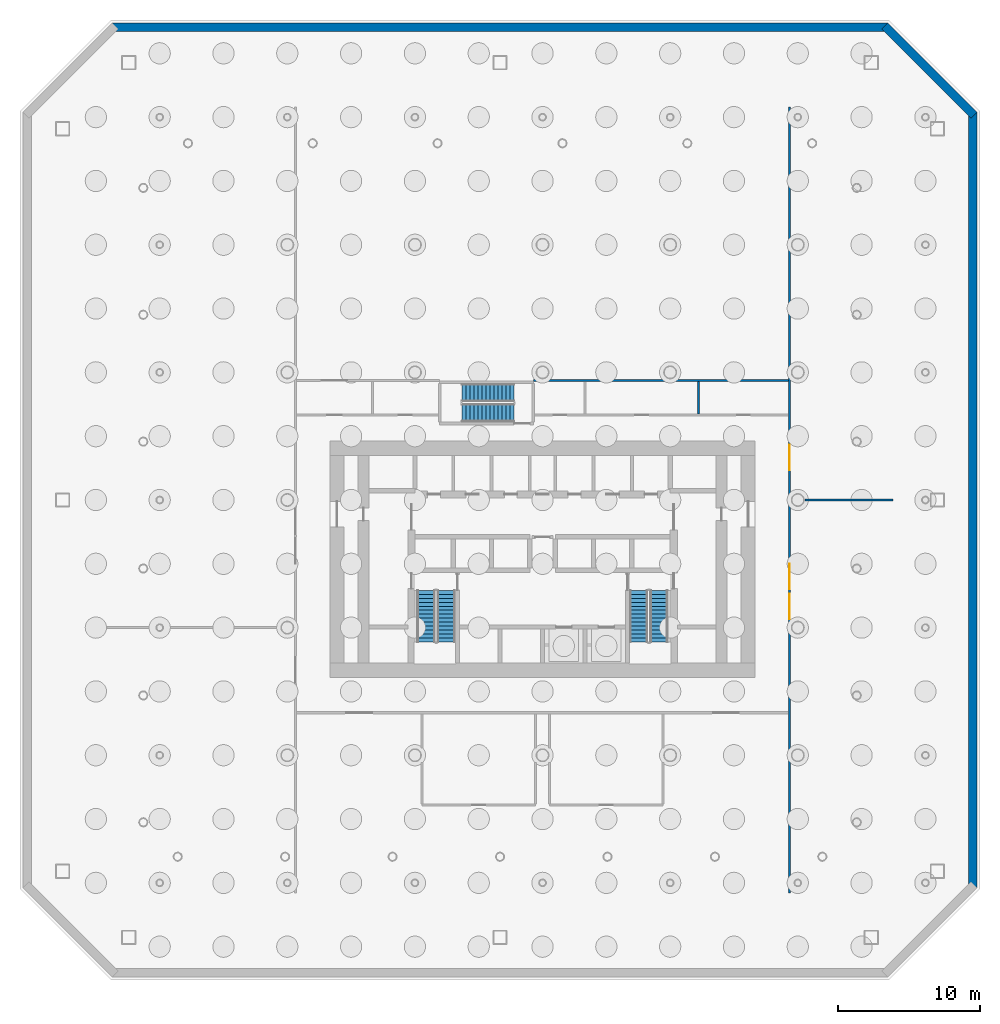
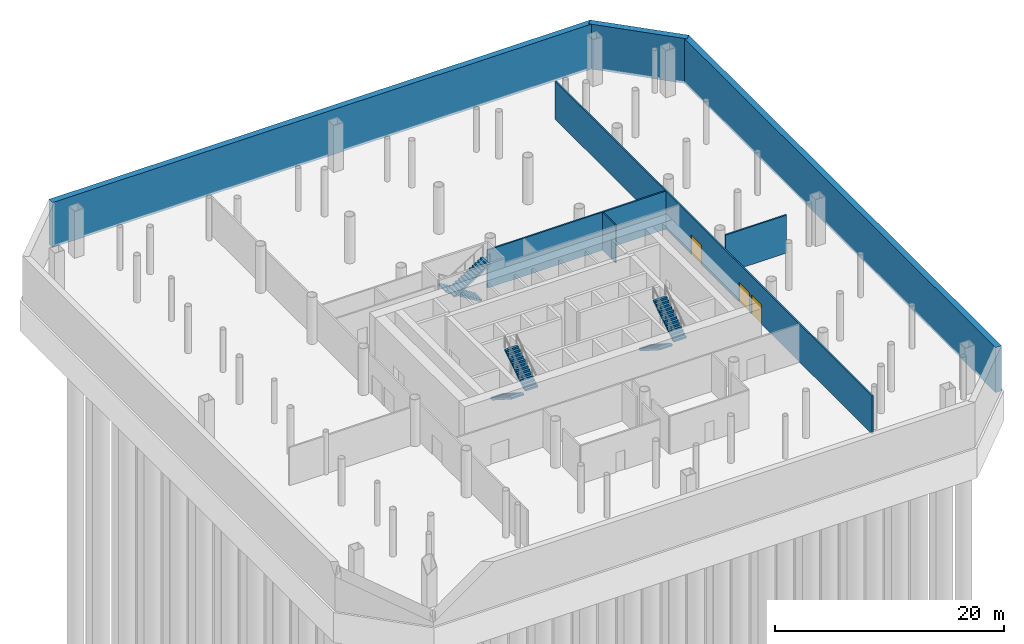
# One storey, part 7 of 10: 7 walls, 6 stair flights, 3 doors, 3 openings, 3 elements without a shape of their own.
"""IFC4 building model written with IfcOpenShell, lengths in metres."""

from ifc_helpers import new_model, si_unit, direction, frame, frame_2d, origin, place, context, subcontext, project, spatial, polyline, rectangle, outline, extrude, material, layer, layer_set, type_object, element, fill, aggregate, save


model = new_model("IFC4")

# Units and contexts
model_context = context("Model", 3, precision=1e-05, world=origin(), true_north=direction((0.0, 1.0)))
body_context = subcontext(model_context, "Body", "Model", "MODEL_VIEW")
ifc_project = project(units=[si_unit("LENGTHUNIT", "METRE"), si_unit("AREAUNIT", "SQUARE_METRE"), si_unit("VOLUMEUNIT", "CUBIC_METRE"), si_unit("PLANEANGLEUNIT", "RADIAN"), si_unit("MASSUNIT", "GRAM", prefix="KILO")], contexts=[model_context])

# Site, building, storey
site_placement = place(None, origin())
site = spatial("IfcSite", under=ifc_project, at=site_placement, CompositionType="ELEMENT")
building_placement = place(site_placement, origin())
building = spatial("IfcBuilding", under=site, at=building_placement, Name="Tskaro Facet Tower", CompositionType="ELEMENT")
storey_placement = place(building_placement, frame((0.0, 0.0, -5.0)))
storey = spatial("IfcBuildingStorey", under=building, at=storey_placement, Name="B1", CompositionType="ELEMENT", Elevation=-5.0)

# Walls
ifc_material_1 = material(Name="Concrete C40/50", Category="concrete")
ifc_layer_1 = layer(ifc_material_1, 0.60009765625, Name="Concrete C40/50")
ifc_layer_set_1 = layer_set([ifc_layer_1], Name="Concrete C40/50")
wall_type_1 = type_object("IfcWallType", Name="Basement retaining wall", PredefinedType="SOLIDWALL", material=ifc_layer_set_1)
wall_1_placement = place(storey_placement, frame((30.35009765625, -27.341064453125, -0.25), z_axis=(0.0, 0.0, 1.0), x_axis=(0.0, 1.0, 0.0)))
element("IfcWall", 1, at=wall_1_placement, inside=storey, type_object=wall_type_1, Name="Basement retaining wall BW3", PredefinedType="SOLIDWALL", context=body_context, shape_type="SweptSolid", body=[
    extrude(rectangle(XDim=54.68212890625, YDim=0.60009765625, at=frame_2d((27.341064453125, 0.0))), origin(), (0.0, 0.0, 1.0), 4.800048828125),
])
wall_2_placement = place(storey_placement, frame((30.43798828125, 27.12890625, -0.25), z_axis=(0.0, 0.0, 1.0), x_axis=(-0.707106781187, 0.707106781187, 0.0)))
element("IfcWall", 2, at=wall_2_placement, inside=storey, type_object=wall_type_1, Name="Basement retaining wall BW4", PredefinedType="SOLIDWALL", context=body_context, shape_type="SweptSolid", body=[
    extrude(rectangle(XDim=8.92236328125, YDim=0.60009765625, at=frame_2d((4.461181640625, 0.0))), origin(), (0.0, 0.0, 1.0), 4.800048828125),
])
wall_3_placement = place(storey_placement, frame((24.341064453125, 33.35009765625, -0.25), z_axis=(0.0, 0.0, 1.0), x_axis=(-1.0, 0.0, 0.0)))
element("IfcWall", 3, at=wall_3_placement, inside=storey, type_object=wall_type_1, Name="Basement retaining wall BW5", PredefinedType="SOLIDWALL", context=body_context, shape_type="SweptSolid", body=[
    extrude(rectangle(XDim=54.68212890625, YDim=0.60009765625, at=frame_2d((27.341064453125, 0.0))), origin(), (0.0, 0.0, 1.0), 4.800048828125),
])
ifc_material_2 = material(Name="Gypsum board on steel studs", Category="steel")
ifc_layer_2 = layer(ifc_material_2, 0.125, Name="Gypsum board on steel studs")
ifc_layer_set_2 = layer_set([ifc_layer_2], Name="Gypsum board on steel studs")
wall_type_2 = type_object("IfcWallType", Name="PART", PredefinedType="PARTITIONING", material=ifc_layer_set_2)
wall_4_placement = place(storey_placement, frame((11.0, 6.074951171875, 0.0), z_axis=(0.0, 0.0, 1.0), x_axis=(0.0, 1.0, 0.0)))
element("IfcWall", 4, at=wall_4_placement, inside=storey, type_object=wall_type_2, Name="Partition W054", PredefinedType="PARTITIONING", context=body_context, shape_type="SweptSolid", body=[
    extrude(rectangle(XDim=2.275146484375, YDim=0.125, at=frame_2d((1.1376953125, 0.0))), origin(), (0.0, 0.0, 1.0), 4.06005859375),
])
ifc_layer_3 = layer(ifc_material_2, 0.14990234375, Name="Gypsum board on steel studs")
ifc_layer_set_3 = layer_set([ifc_layer_3], Name="Gypsum board on steel studs")
wall_type_3 = type_object("IfcWallType", Name="PART-CORR", PredefinedType="PARTITIONING", material=ifc_layer_set_3)
wall_5_placement = place(storey_placement, frame((18.5, 0.0, 0.0), z_axis=(0.0, 0.0, 1.0), x_axis=(1.0, 0.0, 0.0)))
element("IfcWall", 5, at=wall_5_placement, inside=storey, type_object=wall_type_3, Name="Corridor wall W013", PredefinedType="PARTITIONING", context=body_context, shape_type="SweptSolid", body=[
    extrude(rectangle(XDim=6.199951171875, YDim=0.14990234375, at=frame_2d((3.10009765625, 0.0))), origin(), (0.0, 0.0, 1.0), 4.06005859375),
])
wall_6_placement = place(storey_placement, frame((-0.64990234375, 8.425048828125, 0.0), z_axis=(0.0, 0.0, 1.0), x_axis=(1.0, 0.0, 0.0)))
element("IfcWall", 6, at=wall_6_placement, inside=storey, type_object=wall_type_3, Name="Corridor wall W021", PredefinedType="PARTITIONING", context=body_context, shape_type="SweptSolid", body=[
    extrude(rectangle(XDim=18.0, YDim=0.14990234375, at=frame_2d((9.0, 0.0))), origin(), (0.0, 0.0, 1.0), 4.06005859375),
])

# Wall, openings, doors
wall_7_placement = place(storey_placement, frame((17.425048828125, -27.699951171875, 0.0), z_axis=(0.0, 0.0, 1.0), x_axis=(0.0, 1.0, 0.0)))
wall_7 = element("IfcWall", 7, at=wall_7_placement, inside=storey, type_object=wall_type_3, Name="Corridor wall W055", PredefinedType="PARTITIONING", context=body_context, shape_type="SweptSolid", body=[
    extrude(rectangle(XDim=55.39990234375, YDim=0.14990234375, at=frame_2d((27.699951171875, 0.0))), origin(), (0.0, 0.0, 1.0), 4.06005859375),
])
opening_1_placement = place(wall_7_placement, frame((19.300048828125, 0.0, 0.0)))
opening_1 = element("IfcOpeningElement", 8, at=opening_1_placement, cuts=wall_7, Name="Opening B1-D08", PredefinedType="OPENING", context=body_context, shape_type="SweptSolid", body=[
    extrude(rectangle(XDim=1.800048828125, YDim=2.10009765625, at=frame_2d((0.89990234375, 1.050048828125))), frame((0.0, 0.0849609375, 0.0), z_axis=(0.0, -1.0, 0.0), x_axis=(1.0, 0.0, 0.0)), (0.0, 0.0, 1.0), 0.169921875),
])
opening_2_placement = place(wall_7_placement, frame((21.39990234375, 0.0, 0.0)))
opening_2 = element("IfcOpeningElement", 9, at=opening_2_placement, cuts=wall_7, Name="Opening B1-D09", PredefinedType="OPENING", context=body_context, shape_type="SweptSolid", body=[
    extrude(rectangle(XDim=1.800048828125, YDim=2.10009765625, at=frame_2d((0.89990234375, 1.050048828125))), frame((0.0, 0.0849609375, 0.0), z_axis=(0.0, -1.0, 0.0), x_axis=(1.0, 0.0, 0.0)), (0.0, 0.0, 1.0), 0.169921875),
])
opening_3_placement = place(wall_7_placement, frame((29.800048828125, 0.0, 0.0)))
opening_3 = element("IfcOpeningElement", 10, at=opening_3_placement, cuts=wall_7, Name="Opening B1-D27", PredefinedType="OPENING", context=body_context, shape_type="SweptSolid", body=[
    extrude(rectangle(XDim=1.800048828125, YDim=2.10009765625, at=frame_2d((0.89990234375, 1.050048828125))), frame((0.0, 0.0849609375, 0.0), z_axis=(0.0, -1.0, 0.0), x_axis=(1.0, 0.0, 0.0)), (0.0, 0.0, 1.0), 0.169921875),
])
ifc_material_3 = material(Name="Glass", Category="glass")
door_type = type_object("IfcDoorType", Name="D-ENTRY-PAIR", OperationType="NOTDEFINED", PredefinedType="DOOR", material=ifc_material_3)
door_1_placement = place(opening_1_placement, origin())
door_1 = element("IfcDoor", 11, at=door_1_placement, inside=storey, type_object=door_type, Name="Door B1-D08", OperationType="DOUBLE_DOOR_SINGLE_SWING", OverallHeight=2.10009765625, OverallWidth=1.800048828125, PredefinedType="DOOR", context=body_context, shape_type="SweptSolid", body=[
    extrude(rectangle(XDim=1.800048828125, YDim=2.10009765625, at=frame_2d((0.89990234375, 1.050048828125))), frame((0.0, 0.02490234375, 0.0), z_axis=(0.0, -1.0, 0.0), x_axis=(1.0, 0.0, 0.0)), (0.0, 0.0, 1.0), 0.050048828125),
])
fill(opening_1, door_1)
door_2_placement = place(opening_2_placement, origin())
door_2 = element("IfcDoor", 12, at=door_2_placement, inside=storey, type_object=door_type, Name="Door B1-D09", OperationType="DOUBLE_DOOR_SINGLE_SWING", OverallHeight=2.10009765625, OverallWidth=1.800048828125, PredefinedType="DOOR", context=body_context, shape_type="SweptSolid", body=[
    extrude(rectangle(XDim=1.800048828125, YDim=2.10009765625, at=frame_2d((0.89990234375, 1.050048828125))), frame((0.0, 0.02490234375, 0.0), z_axis=(0.0, -1.0, 0.0), x_axis=(1.0, 0.0, 0.0)), (0.0, 0.0, 1.0), 0.050048828125),
])
fill(opening_2, door_2)
door_3_placement = place(opening_3_placement, origin())
door_3 = element("IfcDoor", 13, at=door_3_placement, inside=storey, type_object=door_type, Name="Door B1-D27", OperationType="DOUBLE_DOOR_SINGLE_SWING", OverallHeight=2.10009765625, OverallWidth=1.800048828125, PredefinedType="DOOR", context=body_context, shape_type="SweptSolid", body=[
    extrude(rectangle(XDim=1.800048828125, YDim=2.10009765625, at=frame_2d((0.89990234375, 1.050048828125))), frame((0.0, 0.02490234375, 0.0), z_axis=(0.0, -1.0, 0.0), x_axis=(1.0, 0.0, 0.0)), (0.0, 0.0, 1.0), 0.050048828125),
])
fill(opening_3, door_3)

# Stair, stair flights
stair_type = type_object("IfcStairType", Name="ST-TWR", PredefinedType="HALF_TURN_STAIR", material=ifc_material_1)
stair_1_placement = place(storey_placement, origin())
stair_1 = element("IfcStair", 14, at=stair_1_placement, inside=storey, type_object=stair_type, Name="B1 Exit stair 1", PredefinedType="HALF_TURN_STAIR")
stair_flight_type = type_object("IfcStairFlightType", Name="SFL-RC", PredefinedType="STRAIGHT", material=ifc_material_1)
stair_flight_1_placement = place(storey_placement, frame((-8.21240234375, -6.375, 0.0), z_axis=(0.0, 0.0, 1.0), x_axis=(0.0, -1.0, 0.0)))
stair_flight_1 = element("IfcStairFlight", 15, at=stair_flight_1_placement, type_object=stair_flight_type, Name="ST-1 flight 1", NumberOfRisers=14, NumberOfTreads=13, PredefinedType="STRAIGHT", RiserHeight=0.178571429, TreadLength=0.28, context=body_context, shape_type="SweptSolid", body=[
    extrude(outline(polyline([(0.0, 0.0), (0.0, 0.178466796875), (0.280029296875, 0.178466796875), (0.280029296875, 0.357177734375), (0.56005859375, 0.357177734375), (0.56005859375, 0.53564453125), (0.840087890625, 0.53564453125), (0.840087890625, 0.71435546875), (1.1201171875, 0.71435546875), (1.1201171875, 0.892822265625), (1.39990234375, 0.892822265625), (1.39990234375, 1.071533203125), (1.679931640625, 1.071533203125), (1.679931640625, 1.25), (1.9599609375, 1.25), (1.9599609375, 1.428466796875), (2.239990234375, 1.428466796875), (2.239990234375, 1.607177734375), (2.52001953125, 1.607177734375), (2.52001953125, 1.78564453125), (2.800048828125, 1.78564453125), (2.800048828125, 1.96435546875), (3.080078125, 1.96435546875), (3.080078125, 2.142822265625), (3.360107421875, 2.142822265625), (3.360107421875, 2.321533203125), (3.639892578125, 2.321533203125), (3.639892578125, 2.5), (3.639892578125, 2.1435546875), (0.27880859375, 0.0), (0.0, 0.0)])), frame((0.0, 0.637451171875, 0.0), z_axis=(0.0, -1.0, 0.0), x_axis=(1.0, 0.0, 0.0)), (0.0, 0.0, 1.0), 1.27490234375),
])
stair_flight_2_placement = place(storey_placement, frame((-6.78759765625, -10.014892578125, 2.5), z_axis=(0.0, 0.0, 1.0), x_axis=(0.0, 1.0, 0.0)))
stair_flight_2 = element("IfcStairFlight", 16, at=stair_flight_2_placement, type_object=stair_flight_type, Name="ST-1 flight 2", NumberOfRisers=14, NumberOfTreads=13, PredefinedType="STRAIGHT", RiserHeight=0.178571429, TreadLength=0.28, context=body_context, shape_type="SweptSolid", body=[
    extrude(outline(polyline([(0.0, 0.0), (0.0, 0.178466796875), (0.280029296875, 0.178466796875), (0.280029296875, 0.357177734375), (0.56005859375, 0.357177734375), (0.56005859375, 0.53564453125), (0.840087890625, 0.53564453125), (0.840087890625, 0.71435546875), (1.1201171875, 0.71435546875), (1.1201171875, 0.892822265625), (1.39990234375, 0.892822265625), (1.39990234375, 1.071533203125), (1.679931640625, 1.071533203125), (1.679931640625, 1.25), (1.9599609375, 1.25), (1.9599609375, 1.428466796875), (2.239990234375, 1.428466796875), (2.239990234375, 1.607177734375), (2.52001953125, 1.607177734375), (2.52001953125, 1.78564453125), (2.800048828125, 1.78564453125), (2.800048828125, 1.96435546875), (3.080078125, 1.96435546875), (3.080078125, 2.142822265625), (3.360107421875, 2.142822265625), (3.360107421875, 2.321533203125), (3.639892578125, 2.321533203125), (3.639892578125, 2.5), (3.639892578125, 2.1435546875), (0.27880859375, 0.0), (0.0, 0.0)])), frame((0.0, 0.637451171875, 0.0), z_axis=(0.0, -1.0, 0.0), x_axis=(1.0, 0.0, 0.0)), (0.0, 0.0, 1.0), 1.27490234375),
])
aggregate(stair_1, [stair_flight_1, stair_flight_2])

stair_2_placement = place(storey_placement, origin())
stair_2 = element("IfcStair", 17, at=stair_2_placement, inside=storey, type_object=stair_type, Name="B1 Exit stair 2", PredefinedType="HALF_TURN_STAIR")
stair_flight_3_placement = place(storey_placement, frame((6.78759765625, -6.375, 0.0), z_axis=(0.0, 0.0, 1.0), x_axis=(0.0, -1.0, 0.0)))
stair_flight_3 = element("IfcStairFlight", 18, at=stair_flight_3_placement, type_object=stair_flight_type, Name="ST-2 flight 1", NumberOfRisers=14, NumberOfTreads=13, PredefinedType="STRAIGHT", RiserHeight=0.178571429, TreadLength=0.28, context=body_context, shape_type="SweptSolid", body=[
    extrude(outline(polyline([(0.0, 0.0), (0.0, 0.178466796875), (0.280029296875, 0.178466796875), (0.280029296875, 0.357177734375), (0.56005859375, 0.357177734375), (0.56005859375, 0.53564453125), (0.840087890625, 0.53564453125), (0.840087890625, 0.71435546875), (1.1201171875, 0.71435546875), (1.1201171875, 0.892822265625), (1.39990234375, 0.892822265625), (1.39990234375, 1.071533203125), (1.679931640625, 1.071533203125), (1.679931640625, 1.25), (1.9599609375, 1.25), (1.9599609375, 1.428466796875), (2.239990234375, 1.428466796875), (2.239990234375, 1.607177734375), (2.52001953125, 1.607177734375), (2.52001953125, 1.78564453125), (2.800048828125, 1.78564453125), (2.800048828125, 1.96435546875), (3.080078125, 1.96435546875), (3.080078125, 2.142822265625), (3.360107421875, 2.142822265625), (3.360107421875, 2.321533203125), (3.639892578125, 2.321533203125), (3.639892578125, 2.5), (3.639892578125, 2.1435546875), (0.27880859375, 0.0), (0.0, 0.0)])), frame((0.0, 0.637451171875, 0.0), z_axis=(0.0, -1.0, 0.0), x_axis=(1.0, 0.0, 0.0)), (0.0, 0.0, 1.0), 1.27490234375),
])
stair_flight_4_placement = place(storey_placement, frame((8.21240234375, -10.014892578125, 2.5), z_axis=(0.0, 0.0, 1.0), x_axis=(0.0, 1.0, 0.0)))
stair_flight_4 = element("IfcStairFlight", 19, at=stair_flight_4_placement, type_object=stair_flight_type, Name="ST-2 flight 2", NumberOfRisers=14, NumberOfTreads=13, PredefinedType="STRAIGHT", RiserHeight=0.178571429, TreadLength=0.28, context=body_context, shape_type="SweptSolid", body=[
    extrude(outline(polyline([(0.0, 0.0), (0.0, 0.178466796875), (0.280029296875, 0.178466796875), (0.280029296875, 0.357177734375), (0.56005859375, 0.357177734375), (0.56005859375, 0.53564453125), (0.840087890625, 0.53564453125), (0.840087890625, 0.71435546875), (1.1201171875, 0.71435546875), (1.1201171875, 0.892822265625), (1.39990234375, 0.892822265625), (1.39990234375, 1.071533203125), (1.679931640625, 1.071533203125), (1.679931640625, 1.25), (1.9599609375, 1.25), (1.9599609375, 1.428466796875), (2.239990234375, 1.428466796875), (2.239990234375, 1.607177734375), (2.52001953125, 1.607177734375), (2.52001953125, 1.78564453125), (2.800048828125, 1.78564453125), (2.800048828125, 1.96435546875), (3.080078125, 1.96435546875), (3.080078125, 2.142822265625), (3.360107421875, 2.142822265625), (3.360107421875, 2.321533203125), (3.639892578125, 2.321533203125), (3.639892578125, 2.5), (3.639892578125, 2.1435546875), (0.27880859375, 0.0), (0.0, 0.0)])), frame((0.0, 0.637451171875, 0.0), z_axis=(0.0, -1.0, 0.0), x_axis=(1.0, 0.0, 0.0)), (0.0, 0.0, 1.0), 1.27490234375),
])
aggregate(stair_2, [stair_flight_3, stair_flight_4])

stair_3_placement = place(storey_placement, origin())
stair_3 = element("IfcStair", 20, at=stair_3_placement, inside=storey, type_object=stair_type, Name="B1 Exit stair 3", PredefinedType="HALF_TURN_STAIR")
stair_flight_5_placement = place(storey_placement, frame((-2.02490234375, 7.5625, 0.0), z_axis=(0.0, 0.0, 1.0), x_axis=(-1.0, 0.0, 0.0)))
stair_flight_5 = element("IfcStairFlight", 21, at=stair_flight_5_placement, type_object=stair_flight_type, Name="ST-3 flight 1", NumberOfRisers=14, NumberOfTreads=13, PredefinedType="STRAIGHT", RiserHeight=0.178571429, TreadLength=0.28, context=body_context, shape_type="SweptSolid", body=[
    extrude(outline(polyline([(0.0, 0.0), (0.0, 0.178466796875), (0.280029296875, 0.178466796875), (0.280029296875, 0.357177734375), (0.56005859375, 0.357177734375), (0.56005859375, 0.53564453125), (0.840087890625, 0.53564453125), (0.840087890625, 0.71435546875), (1.1201171875, 0.71435546875), (1.1201171875, 0.892822265625), (1.39990234375, 0.892822265625), (1.39990234375, 1.071533203125), (1.679931640625, 1.071533203125), (1.679931640625, 1.25), (1.9599609375, 1.25), (1.9599609375, 1.428466796875), (2.239990234375, 1.428466796875), (2.239990234375, 1.607177734375), (2.52001953125, 1.607177734375), (2.52001953125, 1.78564453125), (2.800048828125, 1.78564453125), (2.800048828125, 1.96435546875), (3.080078125, 1.96435546875), (3.080078125, 2.142822265625), (3.360107421875, 2.142822265625), (3.360107421875, 2.321533203125), (3.639892578125, 2.321533203125), (3.639892578125, 2.5), (3.639892578125, 2.1435546875), (0.27880859375, 0.0), (0.0, 0.0)])), frame((0.0, 0.637451171875, 0.0), z_axis=(0.0, -1.0, 0.0), x_axis=(1.0, 0.0, 0.0)), (0.0, 0.0, 1.0), 1.27490234375),
])
stair_flight_6_placement = place(storey_placement, frame((-5.6650390625, 6.137451171875, 2.5), z_axis=(0.0, 0.0, 1.0), x_axis=(1.0, 0.0, 0.0)))
stair_flight_6 = element("IfcStairFlight", 22, at=stair_flight_6_placement, type_object=stair_flight_type, Name="ST-3 flight 2", NumberOfRisers=14, NumberOfTreads=13, PredefinedType="STRAIGHT", RiserHeight=0.178571429, TreadLength=0.28, context=body_context, shape_type="SweptSolid", body=[
    extrude(outline(polyline([(0.0, 0.0), (0.0, 0.178466796875), (0.280029296875, 0.178466796875), (0.280029296875, 0.357177734375), (0.56005859375, 0.357177734375), (0.56005859375, 0.53564453125), (0.840087890625, 0.53564453125), (0.840087890625, 0.71435546875), (1.1201171875, 0.71435546875), (1.1201171875, 0.892822265625), (1.39990234375, 0.892822265625), (1.39990234375, 1.071533203125), (1.679931640625, 1.071533203125), (1.679931640625, 1.25), (1.9599609375, 1.25), (1.9599609375, 1.428466796875), (2.239990234375, 1.428466796875), (2.239990234375, 1.607177734375), (2.52001953125, 1.607177734375), (2.52001953125, 1.78564453125), (2.800048828125, 1.78564453125), (2.800048828125, 1.96435546875), (3.080078125, 1.96435546875), (3.080078125, 2.142822265625), (3.360107421875, 2.142822265625), (3.360107421875, 2.321533203125), (3.639892578125, 2.321533203125), (3.639892578125, 2.5), (3.639892578125, 2.1435546875), (0.27880859375, 0.0), (0.0, 0.0)])), frame((0.0, 0.637451171875, 0.0), z_axis=(0.0, -1.0, 0.0), x_axis=(1.0, 0.0, 0.0)), (0.0, 0.0, 1.0), 1.27490234375),
])
aggregate(stair_3, [stair_flight_5, stair_flight_6])

save(model, "model.ifc")
